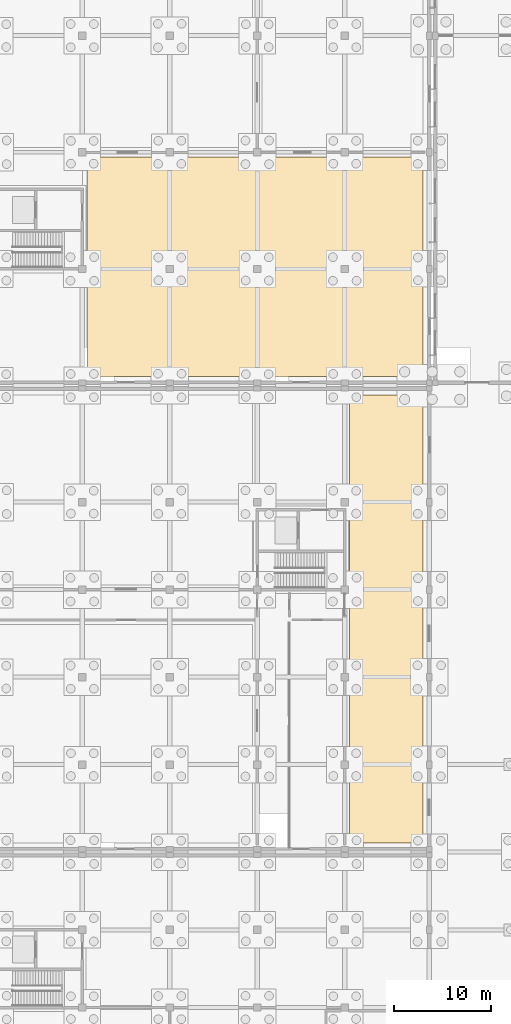
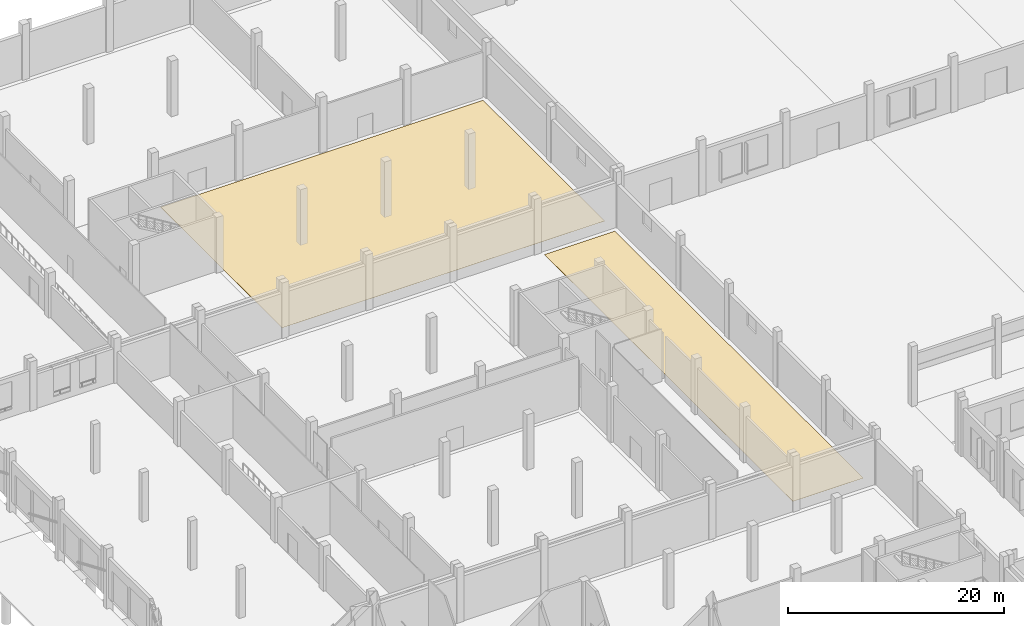
# One storey, part 86 of 99: 2 coverings.
"""IFC4 building model written with IfcOpenShell, lengths in metres."""

from ifc_helpers import new_model, si_unit, direction, origin, place, context, subcontext, project, spatial, polyline, outline, extrude, material, layer, layer_set, type_object, element, save


model = new_model("IFC4")

# Units and contexts
model_context = context("Model", 3, precision=1e-05, world=origin(), true_north=direction((0.0, 1.0)))
body_context = subcontext(model_context, "Body", "Model", "MODEL_VIEW")
ifc_project = project(units=[si_unit("LENGTHUNIT", "METRE"), si_unit("AREAUNIT", "SQUARE_METRE"), si_unit("VOLUMEUNIT", "CUBIC_METRE"), si_unit("PLANEANGLEUNIT", "RADIAN"), si_unit("MASSUNIT", "GRAM", prefix="KILO")], contexts=[model_context])

# Site, building, storey
site_placement = place(None, origin())
site = spatial("IfcSite", under=ifc_project, at=site_placement, CompositionType="ELEMENT")
building_placement = place(site_placement, origin())
building = spatial("IfcBuilding", under=site, at=building_placement, Name="Zacnel Wholesale Market", CompositionType="ELEMENT")
storey_placement = place(building_placement, origin())
storey = spatial("IfcBuildingStorey", under=building, at=storey_placement, Name="L01", CompositionType="ELEMENT", Elevation=0.0)

# Coverings
ifc_material = material(Name="Food-grade epoxy resin flooring")
ifc_layer = layer(ifc_material, 0.011962890625)
ifc_layer_set = layer_set([ifc_layer], Name="Food-grade epoxy resin flooring")
covering_type = type_object("IfcCoveringType", Name="COV-FLR-EPOXY-12", PredefinedType="FLOORING", material=ifc_layer_set)
covering_1_placement = place(storey_placement, origin())
element("IfcCovering", 1, at=covering_1_placement, inside=storey, type_object=covering_type, Name="Hygienic epoxy floor finish L01-313", PredefinedType="FLOORING", context=body_context, shape_type="SweptSolid", body=[
    extrude(outline(polyline([(63.5, 48.949951171875), (71.050048828125, 48.949951171875), (71.050048828125, 95.050048828125), (63.5, 95.050048828125), (63.5, 48.949951171875)])), origin(), (0.0, 0.0, 1.0), 0.011962890625),
])
covering_2_placement = place(storey_placement, origin())
element("IfcCovering", 2, at=covering_2_placement, inside=storey, type_object=covering_type, Name="Hygienic epoxy floor finish L01-314", PredefinedType="FLOORING", context=body_context, shape_type="SweptSolid", body=[
    extrude(outline(polyline([(36.5, 96.949951171875), (71.050048828125, 96.949951171875), (71.050048828125, 119.5), (36.5, 119.5), (36.5, 96.949951171875)])), origin(), (0.0, 0.0, 1.0), 0.011962890625),
])

save(model, "model.ifc")
